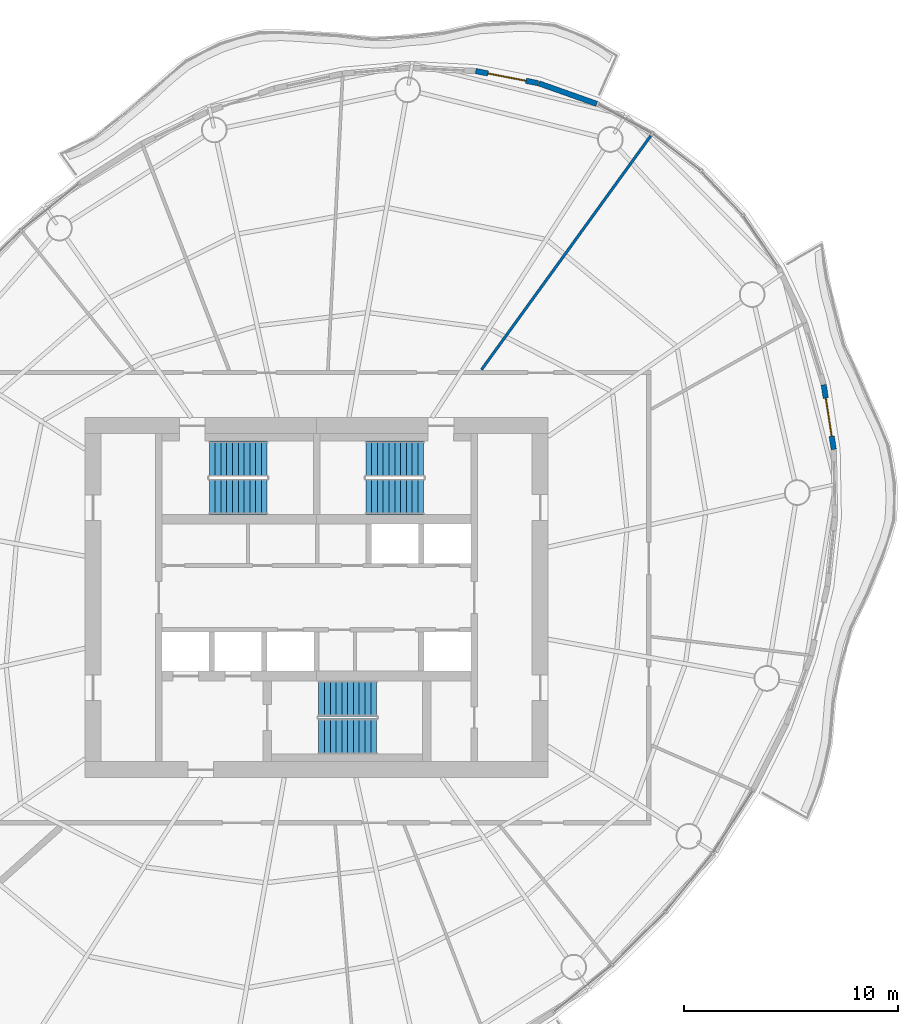
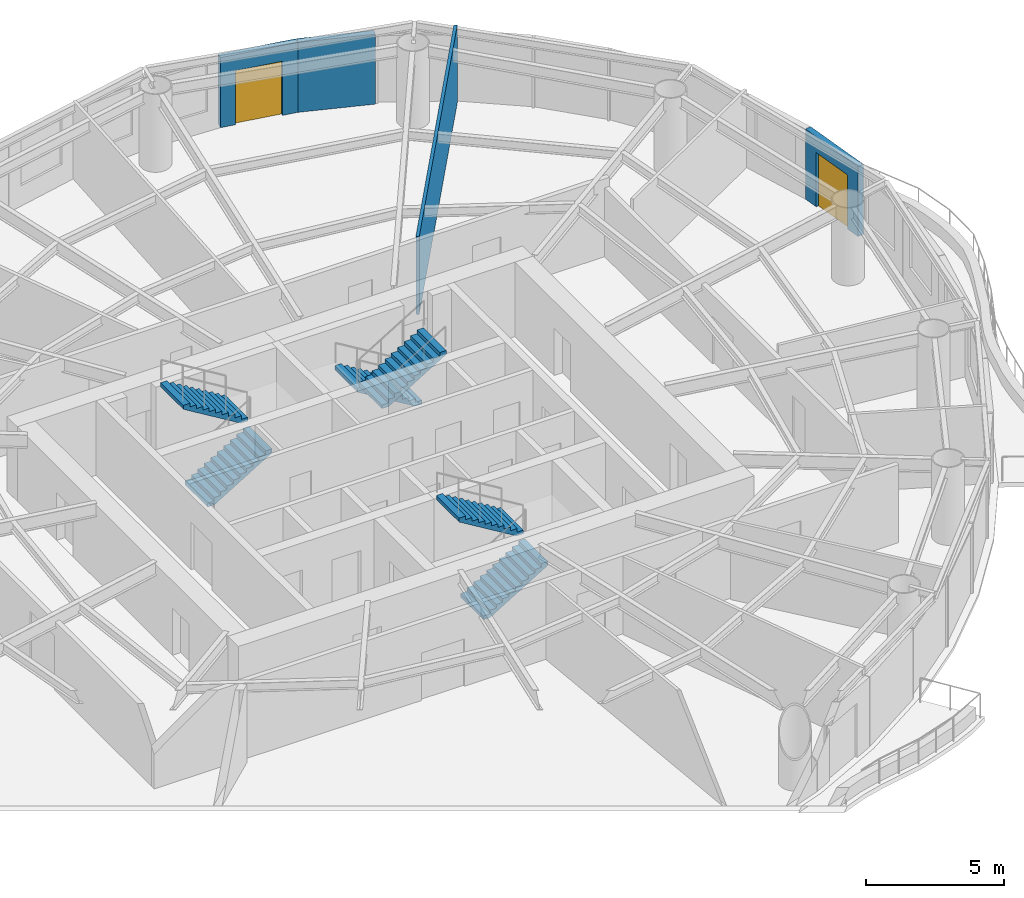
# One storey, part 11 of 14: 6 stair flights, 4 walls, 2 doors, 2 openings, 3 elements without a shape of their own.
"""IFC4 building model written with IfcOpenShell, lengths in metres."""

from ifc_helpers import new_model, si_unit, direction, frame, frame_2d, origin, place, context, subcontext, project, spatial, polyline, rectangle, outline, extrude, material, layer, layer_set, type_object, element, fill, aggregate, save


model = new_model("IFC4")

# Units and contexts
model_context = context("Model", 3, precision=1e-05, world=origin(), true_north=direction((0.0, 1.0)))
body_context = subcontext(model_context, "Body", "Model", "MODEL_VIEW")
ifc_project = project(units=[si_unit("LENGTHUNIT", "METRE"), si_unit("AREAUNIT", "SQUARE_METRE"), si_unit("VOLUMEUNIT", "CUBIC_METRE"), si_unit("PLANEANGLEUNIT", "RADIAN"), si_unit("MASSUNIT", "GRAM", prefix="KILO")], contexts=[model_context])

# Site, building, storey
site_placement = place(None, origin())
site = spatial("IfcSite", under=ifc_project, at=site_placement, CompositionType="ELEMENT")
building_placement = place(site_placement, origin())
building = spatial("IfcBuilding", under=site, at=building_placement, Name="Vermilion Reach Broadcast Tower", CompositionType="ELEMENT")
storey_placement = place(building_placement, frame((0.0, 0.0, 224.5)))
storey = spatial("IfcBuildingStorey", under=building, at=storey_placement, Name="L55", CompositionType="ELEMENT", Elevation=224.5)

# Walls
ifc_material_1 = material(Name="Fire-rated plasterboard on steel stud", Category="steel")
ifc_layer_1 = layer(ifc_material_1, 0.125)
ifc_layer_set_1 = layer_set([ifc_layer_1], Name="Partition 125 fire-rated stud")
wall_type_1 = type_object("IfcWallType", Name="Partition 125 fire-rated stud", PredefinedType="PARTITIONING", material=ifc_layer_set_1)
wall_1_placement = place(storey_placement, frame((9.587890625, 21.541748046875, 0.0), z_axis=(0.0, 0.0, 1.0), x_axis=(-0.586235299026, -0.810140836013, 0.0)))
element("IfcWall", 1, at=wall_1_placement, inside=storey, type_object=wall_type_1, Name="Partition 55.01", PredefinedType="PARTITIONING", context=body_context, shape_type="SweptSolid", body=[
    extrude(rectangle(XDim=13.460693359375, YDim=0.125, at=frame_2d((6.73046875, 0.0))), origin(), (0.0, 0.0, 1.0), 3.449951171875),
])
ifc_material_2 = material(Name="Terracotta rainscreen cladding", Category="masonry")
ifc_layer_2 = layer(ifc_material_2, 0.25)
ifc_layer_set_2 = layer_set([ifc_layer_2], Name="Terracotta rainscreen wall 250")
wall_type_2 = type_object("IfcWallType", Name="Terracotta rainscreen wall 250", PredefinedType="SOLIDWALL", material=ifc_layer_set_2)
wall_2_placement = place(storey_placement, frame((7.066162109375, 23.03466796875, 0.0), z_axis=(0.0, 0.0, 1.0), x_axis=(-0.942660771922, 0.333752406852, 0.0)))
element("IfcWall", 2, at=wall_2_placement, inside=storey, type_object=wall_type_2, Name="External wall L55 02", PredefinedType="SOLIDWALL", context=body_context, shape_type="SweptSolid", body=[
    extrude(rectangle(XDim=2.8623046875, YDim=0.25, at=frame_2d((1.43115234375, 0.0))), origin(), (0.0, 0.0, 1.0), 3.10009765625),
])

# Wall, opening, door
wall_3_placement = place(storey_placement, frame((4.34228515625, 23.996826171875, 0.0), z_axis=(0.0, 0.0, 1.0), x_axis=(-0.981754609907, 0.190152270366, 0.0)))
wall_3 = element("IfcWall", 3, at=wall_3_placement, inside=storey, type_object=wall_type_2, Name="External wall L55 03", PredefinedType="SOLIDWALL", context=body_context, shape_type="SweptSolid", body=[
    extrude(rectangle(XDim=2.9697265625, YDim=0.25, at=frame_2d((1.48486328125, 0.0))), origin(), (0.0, 0.0, 1.0), 3.10009765625),
])
opening_1_placement = place(wall_3_placement, frame((0.5849609375, 0.0, 0.0)))
opening_1 = element("IfcOpeningElement", 4, at=opening_1_placement, cuts=wall_3, Name="Opening D70", PredefinedType="OPENING", context=body_context, shape_type="SweptSolid", body=[
    extrude(rectangle(XDim=1.800048828125, YDim=2.39990234375, at=frame_2d((0.89990234375, 1.199951171875))), frame((0.0, 0.135009765625, 0.0), z_axis=(0.0, -1.0, 0.0), x_axis=(1.0, 0.0, 0.0)), (0.0, 0.0, 1.0), 0.27001953125),
])
ifc_material_3 = material(Name="Low-e laminated clear glass in aluminium frame", Category="aluminium")
door_type = type_object("IfcDoorType", Name="Balcony sliding door 1800 x 2400", OperationType="DOUBLE_DOOR_SLIDING", PredefinedType="DOOR", material=ifc_material_3)
door_1_placement = place(opening_1_placement, origin())
door_1 = element("IfcDoor", 5, at=door_1_placement, inside=storey, type_object=door_type, Name="Balcony door L55 run 01", OperationType="DOUBLE_DOOR_SLIDING", OverallHeight=2.39990234375, OverallWidth=1.800048828125, PredefinedType="DOOR", context=body_context, shape_type="SweptSolid", body=[
    extrude(rectangle(XDim=1.800048828125, YDim=2.39990234375, at=frame_2d((0.89990234375, 1.199951171875))), frame((0.0, 0.02490234375, 0.0), z_axis=(0.0, -1.0, 0.0), x_axis=(1.0, 0.0, 0.0)), (0.0, 0.0, 1.0), 0.050048828125),
])
fill(opening_1, door_1)

wall_4_placement = place(storey_placement, frame((18.123046875, 6.916015625, 0.0), z_axis=(0.0, 0.0, 1.0), x_axis=(-0.15305011878, 0.98821842785, 0.0)))
wall_4 = element("IfcWall", 6, at=wall_4_placement, inside=storey, type_object=wall_type_2, Name="External wall L55 43", PredefinedType="SOLIDWALL", context=body_context, shape_type="SweptSolid", body=[
    extrude(rectangle(XDim=3.04833984375, YDim=0.25, at=frame_2d((1.524169921875, 0.0))), origin(), (0.0, 0.0, 1.0), 3.10009765625),
])
opening_2_placement = place(wall_4_placement, frame((0.6240234375, 0.0, 0.0)))
opening_2 = element("IfcOpeningElement", 7, at=opening_2_placement, cuts=wall_4, Name="Opening D70", PredefinedType="OPENING", context=body_context, shape_type="SweptSolid", body=[
    extrude(rectangle(XDim=1.800048828125, YDim=2.39990234375, at=frame_2d((0.89990234375, 1.199951171875))), frame((0.0, 0.135009765625, 0.0), z_axis=(0.0, -1.0, 0.0), x_axis=(1.0, 0.0, 0.0)), (0.0, 0.0, 1.0), 0.27001953125),
])
door_2_placement = place(opening_2_placement, origin())
door_2 = element("IfcDoor", 8, at=door_2_placement, inside=storey, type_object=door_type, Name="Balcony door L55 run 11", OperationType="DOUBLE_DOOR_SLIDING", OverallHeight=2.39990234375, OverallWidth=1.800048828125, PredefinedType="DOOR", context=body_context, shape_type="SweptSolid", body=[
    extrude(rectangle(XDim=1.800048828125, YDim=2.39990234375, at=frame_2d((0.89990234375, 1.199951171875))), frame((0.0, 0.02490234375, 0.0), z_axis=(0.0, -1.0, 0.0), x_axis=(1.0, 0.0, 0.0)), (0.0, 0.0, 1.0), 0.050048828125),
])
fill(opening_2, door_2)

# Stair, stair flights
ifc_material_4 = material(Name="Concrete C40", Category="concrete")
stair_type = type_object("IfcStairType", Name="Exit stair RC 22 risers 164 mm", PredefinedType="HALF_TURN_STAIR", material=ifc_material_4)
placement = place(storey_placement, origin())
stair_1 = element("IfcStair", 9, at=placement, inside=storey, type_object=stair_type, Name="L55 Exit stair ST1", PredefinedType="HALF_TURN_STAIR")
ifc_material_5 = material(Name="Concrete C40", Category="concrete")
stair_flight_type = type_object("IfcStairFlightType", Name="Exit stair flight RC 11 risers", PredefinedType="STRAIGHT", material=ifc_material_5)
stair_flight_1_placement = place(storey_placement, frame((-11.0, 4.7099609375, 0.0), z_axis=(0.0, 0.0, 1.0), x_axis=(1.0, 0.0, 0.0)))
stair_flight_1 = element("IfcStairFlight", 10, at=stair_flight_1_placement, type_object=stair_flight_type, Name="ST1 flight 1", NumberOfRisers=11, NumberOfTreads=10, PredefinedType="STRAIGHT", RiserHeight=0.163636364, TreadLength=0.27, context=body_context, shape_type="SweptSolid", body=[
    extrude(outline(polyline([(0.0, 0.0), (0.0, 0.16357421875), (0.27001953125, 0.16357421875), (0.27001953125, 0.327392578125), (0.5400390625, 0.327392578125), (0.5400390625, 0.490966796875), (0.81005859375, 0.490966796875), (0.81005859375, 0.654541015625), (1.080078125, 0.654541015625), (1.080078125, 0.818115234375), (1.35009765625, 0.818115234375), (1.35009765625, 0.98193359375), (1.6201171875, 0.98193359375), (1.6201171875, 1.1455078125), (1.889892578125, 1.1455078125), (1.889892578125, 1.30908203125), (2.159912109375, 1.30908203125), (2.159912109375, 1.47265625), (2.429931640625, 1.47265625), (2.429931640625, 1.636474609375), (2.699951171875, 1.636474609375), (2.699951171875, 1.800048828125), (2.699951171875, 1.461181640625), (0.289306640625, 0.0), (0.0, 0.0)])), frame((0.0, 0.830078125, 0.0), z_axis=(0.0, -1.0, 0.0), x_axis=(1.0, 0.0, 0.0)), (0.0, 0.0, 1.0), 1.659912109375),
])
stair_flight_2_placement = place(storey_placement, frame((-8.300048828125, 6.469970703125, 1.800048828125), z_axis=(0.0, 0.0, 1.0), x_axis=(-1.0, 0.0, 0.0)))
stair_flight_2 = element("IfcStairFlight", 11, at=stair_flight_2_placement, type_object=stair_flight_type, Name="ST1 flight 2", NumberOfRisers=11, NumberOfTreads=10, PredefinedType="STRAIGHT", RiserHeight=0.163636364, TreadLength=0.27, context=body_context, shape_type="SweptSolid", body=[
    extrude(outline(polyline([(0.0, 0.0), (0.0, 0.16357421875), (0.27001953125, 0.16357421875), (0.27001953125, 0.327392578125), (0.5400390625, 0.327392578125), (0.5400390625, 0.490966796875), (0.81005859375, 0.490966796875), (0.81005859375, 0.654541015625), (1.080078125, 0.654541015625), (1.080078125, 0.818115234375), (1.35009765625, 0.818115234375), (1.35009765625, 0.98193359375), (1.6201171875, 0.98193359375), (1.6201171875, 1.1455078125), (1.889892578125, 1.1455078125), (1.889892578125, 1.30908203125), (2.159912109375, 1.30908203125), (2.159912109375, 1.47265625), (2.429931640625, 1.47265625), (2.429931640625, 1.636474609375), (2.699951171875, 1.636474609375), (2.699951171875, 1.800048828125), (2.699951171875, 1.461181640625), (0.289306640625, 0.0), (0.0, 0.0)])), frame((0.0, 0.830078125, 0.0), z_axis=(0.0, -1.0, 0.0), x_axis=(1.0, 0.0, 0.0)), (0.0, 0.0, 1.0), 1.659912109375),
])
aggregate(stair_1, [stair_flight_1, stair_flight_2])

stair_2 = element("IfcStair", 12, at=placement, inside=storey, type_object=stair_type, Name="L55 Exit stair ST2", PredefinedType="HALF_TURN_STAIR")
stair_flight_3_placement = place(storey_placement, frame((-1.0, 6.469970703125, 0.0), z_axis=(0.0, 0.0, 1.0), x_axis=(-1.0, 0.0, 0.0)))
stair_flight_3 = element("IfcStairFlight", 13, at=stair_flight_3_placement, type_object=stair_flight_type, Name="ST2 flight 1", NumberOfRisers=11, NumberOfTreads=10, PredefinedType="STRAIGHT", RiserHeight=0.163636364, TreadLength=0.27, context=body_context, shape_type="SweptSolid", body=[
    extrude(outline(polyline([(0.0, 0.0), (0.0, 0.16357421875), (0.27001953125, 0.16357421875), (0.27001953125, 0.327392578125), (0.5400390625, 0.327392578125), (0.5400390625, 0.490966796875), (0.81005859375, 0.490966796875), (0.81005859375, 0.654541015625), (1.080078125, 0.654541015625), (1.080078125, 0.818115234375), (1.35009765625, 0.818115234375), (1.35009765625, 0.98193359375), (1.6201171875, 0.98193359375), (1.6201171875, 1.1455078125), (1.889892578125, 1.1455078125), (1.889892578125, 1.30908203125), (2.159912109375, 1.30908203125), (2.159912109375, 1.47265625), (2.429931640625, 1.47265625), (2.429931640625, 1.636474609375), (2.699951171875, 1.636474609375), (2.699951171875, 1.800048828125), (2.699951171875, 1.461181640625), (0.289306640625, 0.0), (0.0, 0.0)])), frame((0.0, 0.830078125, 0.0), z_axis=(0.0, -1.0, 0.0), x_axis=(1.0, 0.0, 0.0)), (0.0, 0.0, 1.0), 1.659912109375),
])
stair_flight_4_placement = place(storey_placement, frame((-3.699951171875, 4.7099609375, 1.800048828125), z_axis=(0.0, 0.0, 1.0), x_axis=(1.0, 0.0, 0.0)))
stair_flight_4 = element("IfcStairFlight", 14, at=stair_flight_4_placement, type_object=stair_flight_type, Name="ST2 flight 2", NumberOfRisers=11, NumberOfTreads=10, PredefinedType="STRAIGHT", RiserHeight=0.163636364, TreadLength=0.27, context=body_context, shape_type="SweptSolid", body=[
    extrude(outline(polyline([(0.0, 0.0), (0.0, 0.16357421875), (0.27001953125, 0.16357421875), (0.27001953125, 0.327392578125), (0.5400390625, 0.327392578125), (0.5400390625, 0.490966796875), (0.81005859375, 0.490966796875), (0.81005859375, 0.654541015625), (1.080078125, 0.654541015625), (1.080078125, 0.818115234375), (1.35009765625, 0.818115234375), (1.35009765625, 0.98193359375), (1.6201171875, 0.98193359375), (1.6201171875, 1.1455078125), (1.889892578125, 1.1455078125), (1.889892578125, 1.30908203125), (2.159912109375, 1.30908203125), (2.159912109375, 1.47265625), (2.429931640625, 1.47265625), (2.429931640625, 1.636474609375), (2.699951171875, 1.636474609375), (2.699951171875, 1.800048828125), (2.699951171875, 1.461181640625), (0.289306640625, 0.0), (0.0, 0.0)])), frame((0.0, 0.830078125, 0.0), z_axis=(0.0, -1.0, 0.0), x_axis=(1.0, 0.0, 0.0)), (0.0, 0.0, 1.0), 1.659912109375),
])
aggregate(stair_2, [stair_flight_3, stair_flight_4])

stair_3 = element("IfcStair", 15, at=placement, inside=storey, type_object=stair_type, Name="L55 Exit stair ST3", PredefinedType="HALF_TURN_STAIR")
stair_flight_5_placement = place(storey_placement, frame((-5.89990234375, -6.469970703125, 0.0), z_axis=(0.0, 0.0, 1.0), x_axis=(1.0, 0.0, 0.0)))
stair_flight_5 = element("IfcStairFlight", 16, at=stair_flight_5_placement, type_object=stair_flight_type, Name="ST3 flight 1", NumberOfRisers=11, NumberOfTreads=10, PredefinedType="STRAIGHT", RiserHeight=0.163636364, TreadLength=0.27, context=body_context, shape_type="SweptSolid", body=[
    extrude(outline(polyline([(0.0, 0.0), (0.0, 0.16357421875), (0.27001953125, 0.16357421875), (0.27001953125, 0.327392578125), (0.5400390625, 0.327392578125), (0.5400390625, 0.490966796875), (0.81005859375, 0.490966796875), (0.81005859375, 0.654541015625), (1.080078125, 0.654541015625), (1.080078125, 0.818115234375), (1.35009765625, 0.818115234375), (1.35009765625, 0.98193359375), (1.6201171875, 0.98193359375), (1.6201171875, 1.1455078125), (1.889892578125, 1.1455078125), (1.889892578125, 1.30908203125), (2.159912109375, 1.30908203125), (2.159912109375, 1.47265625), (2.429931640625, 1.47265625), (2.429931640625, 1.636474609375), (2.699951171875, 1.636474609375), (2.699951171875, 1.800048828125), (2.699951171875, 1.461181640625), (0.289306640625, 0.0), (0.0, 0.0)])), frame((0.0, 0.830078125, 0.0), z_axis=(0.0, -1.0, 0.0), x_axis=(1.0, 0.0, 0.0)), (0.0, 0.0, 1.0), 1.659912109375),
])
stair_flight_6_placement = place(storey_placement, frame((-3.199951171875, -4.7099609375, 1.800048828125), z_axis=(0.0, 0.0, 1.0), x_axis=(-1.0, 0.0, 0.0)))
stair_flight_6 = element("IfcStairFlight", 17, at=stair_flight_6_placement, type_object=stair_flight_type, Name="ST3 flight 2", NumberOfRisers=11, NumberOfTreads=10, PredefinedType="STRAIGHT", RiserHeight=0.163636364, TreadLength=0.27, context=body_context, shape_type="SweptSolid", body=[
    extrude(outline(polyline([(0.0, 0.0), (0.0, 0.16357421875), (0.27001953125, 0.16357421875), (0.27001953125, 0.327392578125), (0.5400390625, 0.327392578125), (0.5400390625, 0.490966796875), (0.81005859375, 0.490966796875), (0.81005859375, 0.654541015625), (1.080078125, 0.654541015625), (1.080078125, 0.818115234375), (1.35009765625, 0.818115234375), (1.35009765625, 0.98193359375), (1.6201171875, 0.98193359375), (1.6201171875, 1.1455078125), (1.889892578125, 1.1455078125), (1.889892578125, 1.30908203125), (2.159912109375, 1.30908203125), (2.159912109375, 1.47265625), (2.429931640625, 1.47265625), (2.429931640625, 1.636474609375), (2.699951171875, 1.636474609375), (2.699951171875, 1.800048828125), (2.699951171875, 1.461181640625), (0.289306640625, 0.0), (0.0, 0.0)])), frame((0.0, 0.830078125, 0.0), z_axis=(0.0, -1.0, 0.0), x_axis=(1.0, 0.0, 0.0)), (0.0, 0.0, 1.0), 1.659912109375),
])
aggregate(stair_3, [stair_flight_5, stair_flight_6])

save(model, "model.ifc")
